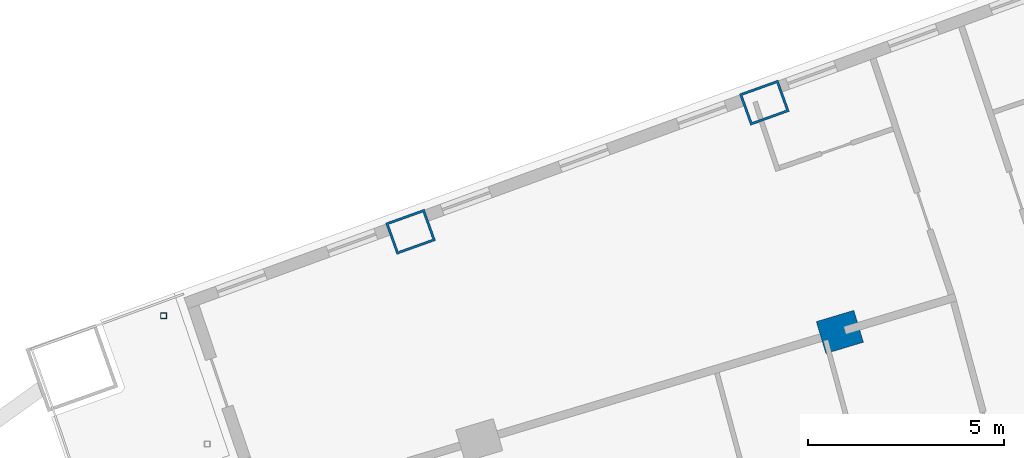
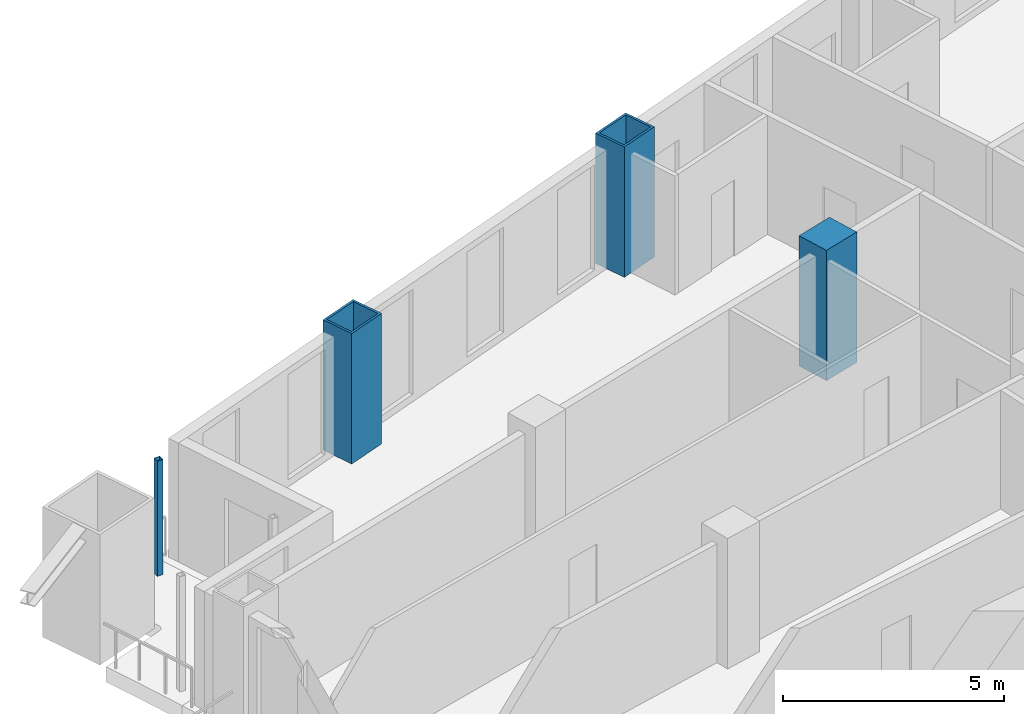
# One storey, part 9 of 25: 4 columns.
"""IFC4 building model written with IfcOpenShell, lengths in metres."""

from ifc_helpers import new_model, si_unit, direction, frame, origin, origin_2d, place, context, subcontext, project, spatial, rectangle, hollow_rectangle, extrude, material, material_profile, profile_set, type_object, element, save


model = new_model("IFC4")

# Units and contexts
model_context = context("Model", 3, precision=1e-05, world=origin(), true_north=direction((0.0, 1.0)))
body_context = subcontext(model_context, "Body", "Model", "MODEL_VIEW")
ifc_project = project(units=[si_unit("LENGTHUNIT", "METRE"), si_unit("AREAUNIT", "SQUARE_METRE"), si_unit("VOLUMEUNIT", "CUBIC_METRE"), si_unit("PLANEANGLEUNIT", "RADIAN"), si_unit("MASSUNIT", "GRAM", prefix="KILO")], contexts=[model_context])

# Site, building, storey
site_placement = place(None, origin())
site = spatial("IfcSite", under=ifc_project, at=site_placement, CompositionType="ELEMENT")
building_placement = place(site_placement, origin())
building = spatial("IfcBuilding", under=site, at=building_placement, Name="Alderwake Tower", CompositionType="ELEMENT")
storey_placement = place(building_placement, frame((0.0, 0.0, 118.39990234375)))
storey = spatial("IfcBuildingStorey", under=building, at=storey_placement, Name="L29", CompositionType="ELEMENT", Elevation=118.39990234375)

# Columns
ifc_material_1 = material(Name="Steel ASTM A572 Grade 50 concrete filled C70/85", Category="concrete")
ifc_material_profile_1 = material_profile(ifc_material_1, hollow_rectangle(XDim=0.85009765625, YDim=1.050048828125, WallThickness=0.06005859375, at=origin_2d()), Name="BOX 1050X850X60")
ifc_profile_set_1 = profile_set([ifc_material_profile_1], Name="Steel ASTM A572 Grade 50 concrete filled C70/85")
column_type_1 = type_object("IfcColumnType", Name="End column Z2", PredefinedType="COLUMN", material=ifc_profile_set_1)
for number, where, z_axis, x_axis, name in (
    (1, (19.965576171875, 96.8515625, 0.0), (0.0, 0.0, 1.0), (-0.337584879279, 0.9412950915, 0.0), "Column R13-C1"),
    (2, (28.983642578125, 100.143310546875, 0.0), (0.0, 0.0, 1.0), (-0.338026774049, 0.941136493834, 0.0), "Column R13-C2"),
):
    element("IfcColumn", number, at=place(storey_placement, frame(where, z_axis=z_axis, x_axis=x_axis)), inside=storey, type_object=column_type_1, Name=name, PredefinedType="COLUMN", context=body_context, shape_type="SweptSolid", body=[
        extrude(hollow_rectangle(XDim=0.85009765625, YDim=1.050048828125, WallThickness=0.06005859375, at=origin_2d()), origin(), (0.0, 0.0, 1.0), 3.60009765625),
    ])
ifc_material_2 = material(Name="Concrete C70/85", Category="concrete")
ifc_material_profile_2 = material_profile(ifc_material_2, rectangle(XDim=0.85009765625, YDim=1.0, at=origin_2d()), Name="RC 1000X850")
ifc_profile_set_2 = profile_set([ifc_material_profile_2], Name="Concrete C70/85")
column_type_2 = type_object("IfcColumnType", Name="Interior column Z2", PredefinedType="COLUMN", material=ifc_profile_set_2)
column_1_placement = place(storey_placement, frame((30.9091796875, 94.298095703125, 0.0), z_axis=(0.0, 0.0, 1.0), x_axis=(-0.287549418125, 0.957765802342, 0.0)))
element("IfcColumn", 3, at=column_1_placement, inside=storey, type_object=column_type_2, Name="Column R12-C2", PredefinedType="COLUMN", context=body_context, shape_type="SweptSolid", body=[
    extrude(rectangle(XDim=0.85009765625, YDim=1.0, at=origin_2d()), origin(), (0.0, 0.0, 1.0), 3.60009765625),
])
ifc_material_3 = material(Name="Steel ASTM A500 Grade C", Category="steel")
ifc_material_profile_3 = material_profile(ifc_material_3, hollow_rectangle(XDim=0.15234375, YDim=0.15234375, WallThickness=0.0087890625, at=origin_2d()), Name="HSS6X6X3/8")
ifc_profile_set_3 = profile_set([ifc_material_profile_3], Name="Steel ASTM A500 Grade C")
column_type_3 = type_object("IfcColumnType", Name="Light post HSS6X6X3/8", PredefinedType="COLUMN", material=ifc_profile_set_3)
column_2_placement = place(storey_placement, frame((13.66796875, 94.71240234375, 0.0), z_axis=(0.0, 0.0, 1.0), x_axis=(1.0, 0.0, 0.0)))
element("IfcColumn", 4, at=column_2_placement, inside=storey, type_object=column_type_3, Name="Terrace post RN2", PredefinedType="COLUMN", context=body_context, shape_type="SweptSolid", body=[
    extrude(hollow_rectangle(XDim=0.15234375, YDim=0.15234375, WallThickness=0.0087890625, at=origin_2d()), origin(), (0.0, 0.0, 1.0), 3.18017578125),
])

save(model, "model.ifc")
